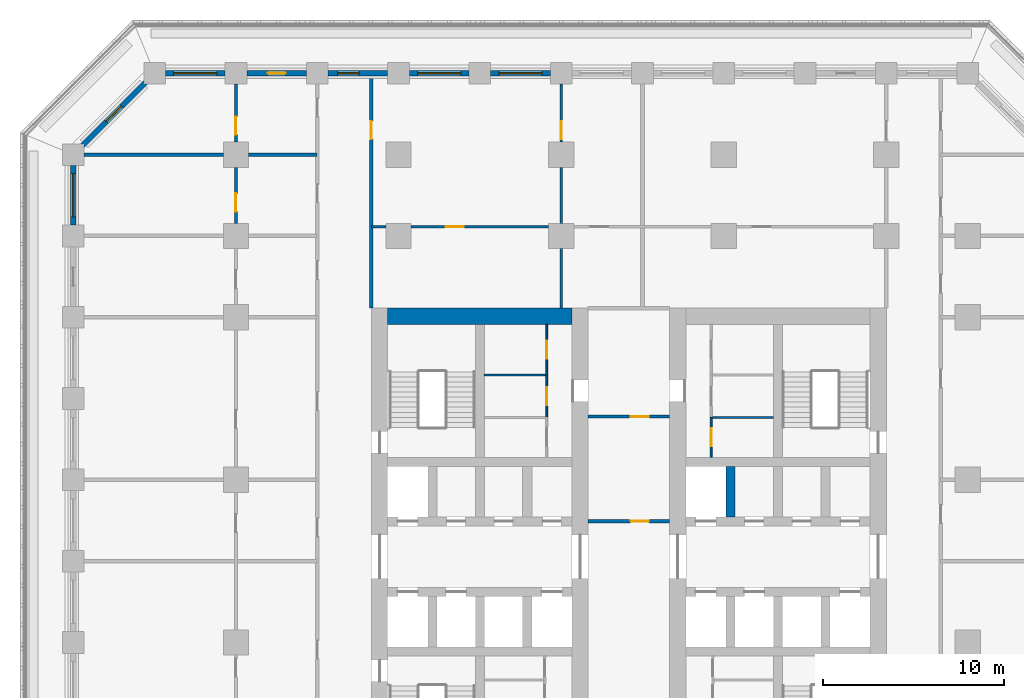
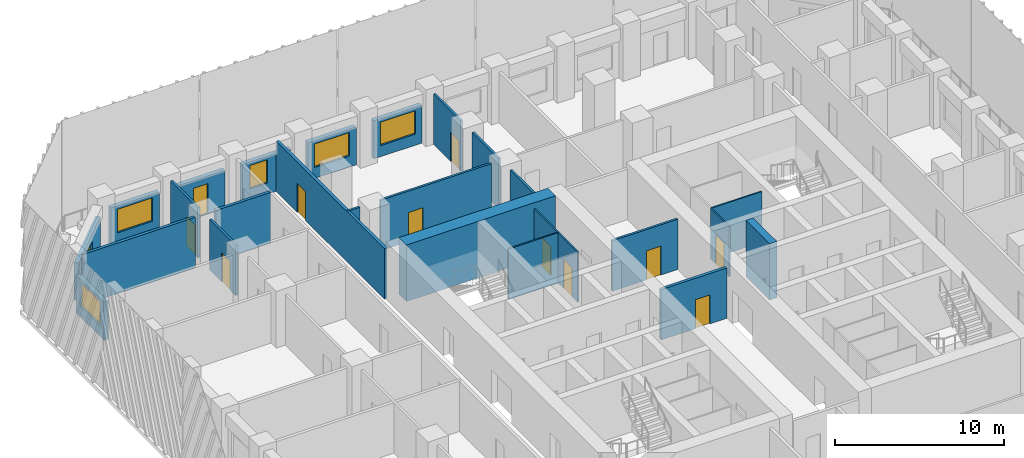
# One storey, part 7 of 19: 26 walls, 12 doors, 5 windows, 17 openings.
"""IFC4 building model written with IfcOpenShell, lengths in metres."""

from ifc_helpers import new_model, si_unit, direction, frame, frame_2d, origin, place, context, subcontext, project, spatial, rectangle, extrude, material, layer, layer_set, type_object, element, fill, save


model = new_model("IFC4")

# Units and contexts
model_context = context("Model", 3, precision=1e-05, world=origin(), true_north=direction((0.0, 1.0)))
body_context = subcontext(model_context, "Body", "Model", "MODEL_VIEW")
ifc_project = project(units=[si_unit("LENGTHUNIT", "METRE"), si_unit("AREAUNIT", "SQUARE_METRE"), si_unit("VOLUMEUNIT", "CUBIC_METRE"), si_unit("PLANEANGLEUNIT", "RADIAN"), si_unit("MASSUNIT", "GRAM", prefix="KILO")], contexts=[model_context])

# Site, building, storey
site_placement = place(None, origin())
site = spatial("IfcSite", under=ifc_project, at=site_placement, CompositionType="ELEMENT")
building_placement = place(site_placement, origin())
building = spatial("IfcBuilding", under=site, at=building_placement, Name="Corbel Stack Research Tower", CompositionType="ELEMENT")
storey_placement = place(building_placement, frame((0.0, 0.0, 133.10009765625)))
storey = spatial("IfcBuildingStorey", under=building, at=storey_placement, Name="L30", CompositionType="ELEMENT", Elevation=133.10009765625)

# Walls
ifc_material_1 = material(Name="Concrete C70/85", Category="concrete")
ifc_layer_1 = layer(ifc_material_1, 0.5)
ifc_layer_set_1 = layer_set([ifc_layer_1], Name="Concrete C70/85")
wall_type_1 = type_object("IfcWallType", Name="CW-500-70", PredefinedType="SHEAR", material=ifc_layer_set_1)
wall_1_placement = place(storey_placement, frame((9.375, 6.949951171875, 0.0), z_axis=(0.0, 0.0, 1.0), x_axis=(0.0, 1.0, 0.0)))
element("IfcWall", 1, at=wall_1_placement, inside=storey, type_object=wall_type_1, Name="East core wall, north shaft 1 L30", PredefinedType="SHEAR", context=body_context, shape_type="SweptSolid", body=[
    extrude(rectangle(XDim=2.800048828125, YDim=0.5, at=frame_2d((1.39990234375, 0.0))), origin(), (0.0, 0.0, 1.0), 4.099853515625),
])
ifc_material_2 = material(Name="Concrete C70/85", Category="concrete")
ifc_layer_2 = layer(ifc_material_2, 0.89990234375)
ifc_layer_set_2 = layer_set([ifc_layer_2], Name="Concrete C70/85")
wall_type_2 = type_object("IfcWallType", Name="CW-900-70", PredefinedType="SHEAR", material=ifc_layer_set_2)
wall_2_placement = place(storey_placement, frame((-9.60009765625, 18.050048828125, 0.0), z_axis=(0.0, 0.0, 1.0), x_axis=(1.0, 0.0, 0.0)))
element("IfcWall", 2, at=wall_2_placement, inside=storey, type_object=wall_type_2, Name="West core wall, north end L30", PredefinedType="SHEAR", context=body_context, shape_type="SweptSolid", body=[
    extrude(rectangle(XDim=10.2001953125, YDim=0.89990234375, at=frame_2d((5.10009765625, 0.0))), origin(), (0.0, 0.0, 1.0), 4.099853515625),
])

# Wall, opening, door
ifc_material_3 = material(Name="Gypsum board")
ifc_layer_3 = layer(ifc_material_3, 0.10009765625)
ifc_layer_set_3 = layer_set([ifc_layer_3], Name="Gypsum board")
wall_type_3 = type_object("IfcWallType", Name="Core partition 100", PredefinedType="PARTITIONING", material=ifc_layer_set_3)
wall_3_placement = place(storey_placement, frame((-0.800048828125, 12.455078125, 0.0), z_axis=(0.0, 0.0, 1.0), x_axis=(0.0, 1.0, 0.0)))
wall_3 = element("IfcWall", 3, at=wall_3_placement, inside=storey, type_object=wall_type_3, Name="Core partition W", PredefinedType="PARTITIONING", context=body_context, shape_type="SweptSolid", body=[
    extrude(rectangle(XDim=2.351806640625, YDim=0.10009765625, at=frame_2d((1.17578125, 0.0))), origin(), (0.0, 0.0, 1.0), 3.64990234375),
])
opening_1_placement = place(wall_3_placement, frame((0.676025390625, 0.0, 0.0)))
opening_1 = element("IfcOpeningElement", 4, at=opening_1_placement, cuts=wall_3, Name="Opening CR-W42-R3-1000", PredefinedType="OPENING", context=body_context, shape_type="SweptSolid", body=[
    extrude(rectangle(XDim=1.0, YDim=2.10009765625, at=frame_2d((0.5, 1.050048828125))), frame((0.0, 0.06005859375, 0.0), z_axis=(0.0, -1.0, 0.0), x_axis=(1.0, 0.0, 0.0)), (0.0, 0.0, 1.0), 0.1201171875),
])
ifc_material_4 = material(Name="Painted steel door", Category="steel")
door_type_1 = type_object("IfcDoorType", Name="Service door 1000 x 2100 FD30 left hand", OperationType="SINGLE_SWING_LEFT", PredefinedType="DOOR", material=ifc_material_4)
door_1_placement = place(opening_1_placement, origin())
door_1 = element("IfcDoor", 5, at=door_1_placement, inside=storey, type_object=door_type_1, Name="Pantry door W core", OperationType="SINGLE_SWING_LEFT", OverallHeight=2.10009765625, OverallWidth=1.0, PredefinedType="DOOR", context=body_context, shape_type="SweptSolid", body=[
    extrude(rectangle(XDim=1.0, YDim=2.10009765625, at=frame_2d((0.5, 1.050048828125))), frame((0.0, 0.02490234375, 0.0), z_axis=(0.0, -1.0, 0.0), x_axis=(1.0, 0.0, 0.0)), (0.0, 0.0, 1.0), 0.050048828125),
])
fill(opening_1, door_1)

wall_4_placement = place(storey_placement, frame((-0.800048828125, 14.806884765625, 0.0), z_axis=(0.0, 0.0, 1.0), x_axis=(0.0, 1.0, 0.0)))
wall_4 = element("IfcWall", 6, at=wall_4_placement, inside=storey, type_object=wall_type_3, Name="Core partition W", PredefinedType="PARTITIONING", context=body_context, shape_type="SweptSolid", body=[
    extrude(rectangle(XDim=2.793212890625, YDim=0.10009765625, at=frame_2d((1.396484375, 0.0))), origin(), (0.0, 0.0, 1.0), 3.64990234375),
])
opening_2_placement = place(wall_4_placement, frame((0.896484375, 0.0, 0.0)))
opening_2 = element("IfcOpeningElement", 7, at=opening_2_placement, cuts=wall_4, Name="Opening CR-W42-R4-1000", PredefinedType="OPENING", context=body_context, shape_type="SweptSolid", body=[
    extrude(rectangle(XDim=1.0, YDim=2.10009765625, at=frame_2d((0.5, 1.050048828125))), frame((0.0, 0.06005859375, 0.0), z_axis=(0.0, -1.0, 0.0), x_axis=(1.0, 0.0, 0.0)), (0.0, 0.0, 1.0), 0.1201171875),
])
ifc_material_5 = material(Name="Painted steel door", Category="steel")
door_type_2 = type_object("IfcDoorType", Name="Riser door 1000 x 2100 FD60 right hand", OperationType="SINGLE_SWING_RIGHT", PredefinedType="DOOR", material=ifc_material_5)
door_2_placement = place(opening_2_placement, origin())
door_2 = element("IfcDoor", 8, at=door_2_placement, inside=storey, type_object=door_type_2, Name="Electrical riser door W core", OperationType="SINGLE_SWING_RIGHT", OverallHeight=2.10009765625, OverallWidth=1.0, PredefinedType="DOOR", context=body_context, shape_type="SweptSolid", body=[
    extrude(rectangle(XDim=1.0, YDim=2.10009765625, at=frame_2d((0.5, 1.050048828125))), frame((0.0, 0.02490234375, 0.0), z_axis=(0.0, -1.0, 0.0), x_axis=(1.0, 0.0, 0.0)), (0.0, 0.0, 1.0), 0.050048828125),
])
fill(opening_2, door_2)

# Wall
wall_5_placement = place(storey_placement, frame((-4.25, 14.806884765625, 0.0), z_axis=(0.0, 0.0, 1.0), x_axis=(1.0, 0.0, 0.0)))
element("IfcWall", 9, at=wall_5_placement, inside=storey, type_object=wall_type_3, Name="Core partition W", PredefinedType="PARTITIONING", context=body_context, shape_type="SweptSolid", body=[
    extrude(rectangle(XDim=3.449951171875, YDim=0.10009765625, at=frame_2d((1.72509765625, 0.0))), origin(), (0.0, 0.0, 1.0), 3.64990234375),
])

# Wall, opening, door
wall_6_placement = place(storey_placement, frame((8.300048828125, 10.25, 0.0), z_axis=(0.0, 0.0, 1.0), x_axis=(0.0, 1.0, 0.0)))
wall_6 = element("IfcWall", 10, at=wall_6_placement, inside=storey, type_object=wall_type_3, Name="Core partition E", PredefinedType="PARTITIONING", context=body_context, shape_type="SweptSolid", body=[
    extrude(rectangle(XDim=2.205078125, YDim=0.10009765625, at=frame_2d((1.1025390625, 0.0))), origin(), (0.0, 0.0, 1.0), 3.64990234375),
])
opening_3_placement = place(wall_6_placement, frame((0.6025390625, 0.0, 0.0)))
opening_3 = element("IfcOpeningElement", 11, at=opening_3_placement, cuts=wall_6, Name="Opening CR-E42-R2-1000", PredefinedType="OPENING", context=body_context, shape_type="SweptSolid", body=[
    extrude(rectangle(XDim=1.0, YDim=2.10009765625, at=frame_2d((0.5, 1.050048828125))), frame((0.0, 0.06005859375, 0.0), z_axis=(0.0, -1.0, 0.0), x_axis=(1.0, 0.0, 0.0)), (0.0, 0.0, 1.0), 0.1201171875),
])
ifc_material_6 = material(Name="Painted steel door", Category="steel")
door_type_3 = type_object("IfcDoorType", Name="Riser door 1000 x 2100 FD60 left hand", OperationType="SINGLE_SWING_LEFT", PredefinedType="DOOR", material=ifc_material_6)
door_3_placement = place(opening_3_placement, origin())
door_3 = element("IfcDoor", 12, at=door_3_placement, inside=storey, type_object=door_type_3, Name="Mechanical riser door E core", OperationType="SINGLE_SWING_LEFT", OverallHeight=2.10009765625, OverallWidth=1.0, PredefinedType="DOOR", context=body_context, shape_type="SweptSolid", body=[
    extrude(rectangle(XDim=1.0, YDim=2.10009765625, at=frame_2d((0.5, 1.050048828125))), frame((0.0, 0.02490234375, 0.0), z_axis=(0.0, -1.0, 0.0), x_axis=(1.0, 0.0, 0.0)), (0.0, 0.0, 1.0), 0.050048828125),
])
fill(opening_3, door_3)

# Wall
wall_7_placement = place(storey_placement, frame((8.300048828125, 12.455078125, 0.0), z_axis=(0.0, 0.0, 1.0), x_axis=(1.0, 0.0, 0.0)))
element("IfcWall", 13, at=wall_7_placement, inside=storey, type_object=wall_type_3, Name="Core partition E", PredefinedType="PARTITIONING", context=body_context, shape_type="SweptSolid", body=[
    extrude(rectangle(XDim=3.449951171875, YDim=0.10009765625, at=frame_2d((1.72509765625, 0.0))), origin(), (0.0, 0.0, 1.0), 3.64990234375),
])

# Wall, opening, door
ifc_material_7 = material(Name="Fire-rated gypsum board partition on steel studs", Category="steel")
ifc_layer_4 = layer(ifc_material_7, 0.14990234375)
ifc_layer_set_4 = layer_set([ifc_layer_4], Name="Fire-rated gypsum board partition on steel studs")
wall_type_4 = type_object("IfcWallType", Name="Fire-rated partition 150 EI 60", PredefinedType="PARTITIONING", material=ifc_layer_set_4)
wall_8_placement = place(storey_placement, frame((0.0, 30.89990234375, 0.0), z_axis=(0.0, 0.0, 1.0), x_axis=(0.0, -1.0, 0.0)))
wall_8 = element("IfcWall", 14, at=wall_8_placement, inside=storey, type_object=wall_type_4, Name="Partition L30-014", PredefinedType="PARTITIONING", context=body_context, shape_type="SweptSolid", body=[
    extrude(rectangle(XDim=3.199951171875, YDim=0.14990234375, at=frame_2d((1.60009765625, 0.0))), origin(), (0.0, 0.0, 1.0), 3.64990234375),
])
opening_4_placement = place(wall_8_placement, frame((2.050048828125, 0.0, 0.0)))
opening_4 = element("IfcOpeningElement", 15, at=opening_4_placement, cuts=wall_8, Name="Opening B4V1-023", PredefinedType="OPENING", context=body_context, shape_type="SweptSolid", body=[
    extrude(rectangle(XDim=1.0, YDim=2.10009765625, at=frame_2d((0.5, 1.050048828125))), frame((0.0, 0.0849609375, 0.0), z_axis=(0.0, -1.0, 0.0), x_axis=(1.0, 0.0, 0.0)), (0.0, 0.0, 1.0), 0.169921875),
])
ifc_material_8 = material(Name="Painted steel fire door", Category="steel")
door_type_4 = type_object("IfcDoorType", Name="Fire door FD30S 1000 x 2100", OperationType="NOTDEFINED", PredefinedType="DOOR", material=ifc_material_8)
door_4_placement = place(opening_4_placement, origin())
door_4 = element("IfcDoor", 16, at=door_4_placement, inside=storey, type_object=door_type_4, Name="Door B4V1-023", OperationType="SINGLE_SWING_RIGHT", OverallHeight=2.10009765625, OverallWidth=1.0, PredefinedType="DOOR", context=body_context, shape_type="SweptSolid", body=[
    extrude(rectangle(XDim=1.0, YDim=2.10009765625, at=frame_2d((0.5, 1.050048828125))), frame((0.0, 0.02490234375, 0.0), z_axis=(0.0, -1.0, 0.0), x_axis=(1.0, 0.0, 0.0)), (0.0, 0.0, 1.0), 0.050048828125),
])
fill(opening_4, door_4)

ifc_material_9 = material(Name="Fire-rated gypsum board partition on steel studs", Category="steel")
ifc_layer_5 = layer(ifc_material_9, 0.199951171875)
ifc_layer_set_5 = layer_set([ifc_layer_5], Name="Fire-rated gypsum board partition on steel studs")
wall_type_5 = type_object("IfcWallType", Name="Fire-rated partition 200 EI 60", PredefinedType="PARTITIONING", material=ifc_layer_set_5)
wall_9_placement = place(storey_placement, frame((-10.5, 31.35009765625, 0.0), z_axis=(0.0, 0.0, 1.0), x_axis=(0.0, -1.0, 0.0)))
wall_9 = element("IfcWall", 17, at=wall_9_placement, inside=storey, type_object=wall_type_5, Name="Partition L30-011", PredefinedType="PARTITIONING", context=body_context, shape_type="SweptSolid", body=[
    extrude(rectangle(XDim=12.85009765625, YDim=0.199951171875, at=frame_2d((6.425048828125, 0.0))), origin(), (0.0, 0.0, 1.0), 3.64990234375),
])
opening_5_placement = place(wall_9_placement, frame((2.5, 0.0, 0.0)))
opening_5 = element("IfcOpeningElement", 18, at=opening_5_placement, cuts=wall_9, Name="Opening B4V1-021", PredefinedType="OPENING", context=body_context, shape_type="SweptSolid", body=[
    extrude(rectangle(XDim=1.0, YDim=2.10009765625, at=frame_2d((0.5, 1.050048828125))), frame((0.0, 0.10986328125, 0.0), z_axis=(0.0, -1.0, 0.0), x_axis=(1.0, 0.0, 0.0)), (0.0, 0.0, 1.0), 0.219970703125),
])
door_5_placement = place(opening_5_placement, origin())
door_5 = element("IfcDoor", 19, at=door_5_placement, inside=storey, type_object=door_type_4, Name="Door B4V1-021", OperationType="SINGLE_SWING_LEFT", OverallHeight=2.10009765625, OverallWidth=1.0, PredefinedType="DOOR", context=body_context, shape_type="SweptSolid", body=[
    extrude(rectangle(XDim=1.0, YDim=2.10009765625, at=frame_2d((0.5, 1.050048828125))), frame((0.0, 0.02490234375, 0.0), z_axis=(0.0, -1.0, 0.0), x_axis=(1.0, 0.0, 0.0)), (0.0, 0.0, 1.0), 0.050048828125),
])
fill(opening_5, door_5)

wall_10_placement = place(storey_placement, frame((1.5, 6.699951171875, 0.0), z_axis=(0.0, 0.0, 1.0), x_axis=(1.0, 0.0, 0.0)))
wall_10 = element("IfcWall", 20, at=wall_10_placement, inside=storey, type_object=wall_type_5, Name="Partition L30-035", PredefinedType="PARTITIONING", context=body_context, shape_type="SweptSolid", body=[
    extrude(rectangle(XDim=4.5, YDim=0.199951171875, at=frame_2d((2.25, 0.0))), origin(), (0.0, 0.0, 1.0), 3.64990234375),
])
opening_6_placement = place(wall_10_placement, frame((2.35009765625, 0.0, 0.0)))
opening_6 = element("IfcOpeningElement", 21, at=opening_6_placement, cuts=wall_10, Name="Opening B4V1-024", PredefinedType="OPENING", context=body_context, shape_type="SweptSolid", body=[
    extrude(rectangle(XDim=1.0, YDim=2.10009765625, at=frame_2d((0.5, 1.050048828125))), frame((0.0, 0.10986328125, 0.0), z_axis=(0.0, -1.0, 0.0), x_axis=(1.0, 0.0, 0.0)), (0.0, 0.0, 1.0), 0.219970703125),
])
door_6_placement = place(opening_6_placement, origin())
door_6 = element("IfcDoor", 22, at=door_6_placement, inside=storey, type_object=door_type_4, Name="Door B4V1-024", OperationType="SINGLE_SWING_RIGHT", OverallHeight=2.10009765625, OverallWidth=1.0, PredefinedType="DOOR", context=body_context, shape_type="SweptSolid", body=[
    extrude(rectangle(XDim=1.0, YDim=2.10009765625, at=frame_2d((0.5, 1.050048828125))), frame((0.0, 0.02490234375, 0.0), z_axis=(0.0, -1.0, 0.0), x_axis=(1.0, 0.0, 0.0)), (0.0, 0.0, 1.0), 0.050048828125),
])
fill(opening_6, door_6)

# Walls
wall_11_placement = place(storey_placement, frame((-26.39990234375, 27.0, 0.0), z_axis=(0.0, 0.0, 1.0), x_axis=(1.0, 0.0, 0.0)))
element("IfcWall", 23, at=wall_11_placement, inside=storey, type_object=wall_type_5, Name="Partition L30-054", PredefinedType="PARTITIONING", context=body_context, shape_type="SweptSolid", body=[
    extrude(rectangle(XDim=7.699951171875, YDim=0.199951171875, at=frame_2d((3.85009765625, 0.0))), origin(), (0.0, 0.0, 1.0), 3.64990234375),
])
wall_12_placement = place(storey_placement, frame((-17.300048828125, 27.0, 0.0), z_axis=(0.0, 0.0, 1.0), x_axis=(1.0, 0.0, 0.0)))
element("IfcWall", 24, at=wall_12_placement, inside=storey, type_object=wall_type_5, Name="Partition L30-055", PredefinedType="PARTITIONING", context=body_context, shape_type="SweptSolid", body=[
    extrude(rectangle(XDim=3.800048828125, YDim=0.199951171875, at=frame_2d((1.89990234375, 0.0))), origin(), (0.0, 0.0, 1.0), 3.64990234375),
])

# Wall, opening, door
ifc_material_10 = material(Name="Gypsum board partition on steel studs", Category="steel")
ifc_layer_6 = layer(ifc_material_10, 0.14990234375)
ifc_layer_set_6 = layer_set([ifc_layer_6], Name="Gypsum board partition on steel studs")
wall_type_6 = type_object("IfcWallType", Name="Partition 150", PredefinedType="PARTITIONING", material=ifc_layer_set_6)
wall_13_placement = place(storey_placement, frame((-18.0, 23.199951171875, 0.0), z_axis=(0.0, 0.0, 1.0), x_axis=(0.0, 1.0, 0.0)))
wall_13 = element("IfcWall", 25, at=wall_13_placement, inside=storey, type_object=wall_type_6, Name="Partition L30-007", PredefinedType="PARTITIONING", context=body_context, shape_type="SweptSolid", body=[
    extrude(rectangle(XDim=3.10009765625, YDim=0.14990234375, at=frame_2d((1.550048828125, 0.0))), origin(), (0.0, 0.0, 1.0), 3.64990234375),
])
opening_7_placement = place(wall_13_placement, frame((0.64990234375, 0.0, 0.0)))
opening_7 = element("IfcOpeningElement", 26, at=opening_7_placement, cuts=wall_13, Name="Opening B4V1-007", PredefinedType="OPENING", context=body_context, shape_type="SweptSolid", body=[
    extrude(rectangle(XDim=1.0, YDim=2.10009765625, at=frame_2d((0.5, 1.050048828125))), frame((0.0, 0.0849609375, 0.0), z_axis=(0.0, -1.0, 0.0), x_axis=(1.0, 0.0, 0.0)), (0.0, 0.0, 1.0), 0.169921875),
])
ifc_material_11 = material(Name="Painted timber door", Category="wood")
door_type_5 = type_object("IfcDoorType", Name="Single door 1000 x 2100", OperationType="NOTDEFINED", PredefinedType="DOOR", material=ifc_material_11)
door_7_placement = place(opening_7_placement, origin())
door_7 = element("IfcDoor", 27, at=door_7_placement, inside=storey, type_object=door_type_5, Name="Door B4V1-007", OperationType="SINGLE_SWING_LEFT", OverallHeight=2.10009765625, OverallWidth=1.0, PredefinedType="DOOR", context=body_context, shape_type="SweptSolid", body=[
    extrude(rectangle(XDim=1.0, YDim=2.10009765625, at=frame_2d((0.5, 1.050048828125))), frame((0.0, 0.02490234375, 0.0), z_axis=(0.0, -1.0, 0.0), x_axis=(1.0, 0.0, 0.0)), (0.0, 0.0, 1.0), 0.050048828125),
])
fill(opening_7, door_7)

wall_14_placement = place(storey_placement, frame((-18.0, 27.699951171875, 0.0), z_axis=(0.0, 0.0, 1.0), x_axis=(0.0, 1.0, 0.0)))
wall_14 = element("IfcWall", 28, at=wall_14_placement, inside=storey, type_object=wall_type_6, Name="Partition L30-008", PredefinedType="PARTITIONING", context=body_context, shape_type="SweptSolid", body=[
    extrude(rectangle(XDim=3.199951171875, YDim=0.14990234375, at=frame_2d((1.60009765625, 0.0))), origin(), (0.0, 0.0, 1.0), 3.64990234375),
])
opening_8_placement = place(wall_14_placement, frame((0.39990234375, 0.0, 0.0)))
opening_8 = element("IfcOpeningElement", 29, at=opening_8_placement, cuts=wall_14, Name="Opening B4V1-008", PredefinedType="OPENING", context=body_context, shape_type="SweptSolid", body=[
    extrude(rectangle(XDim=1.0, YDim=2.10009765625, at=frame_2d((0.5, 1.050048828125))), frame((0.0, 0.0849609375, 0.0), z_axis=(0.0, -1.0, 0.0), x_axis=(1.0, 0.0, 0.0)), (0.0, 0.0, 1.0), 0.169921875),
])
door_8_placement = place(opening_8_placement, origin())
door_8 = element("IfcDoor", 30, at=door_8_placement, inside=storey, type_object=door_type_5, Name="Door B4V1-008", OperationType="SINGLE_SWING_LEFT", OverallHeight=2.10009765625, OverallWidth=1.0, PredefinedType="DOOR", context=body_context, shape_type="SweptSolid", body=[
    extrude(rectangle(XDim=1.0, YDim=2.10009765625, at=frame_2d((0.5, 1.050048828125))), frame((0.0, 0.02490234375, 0.0), z_axis=(0.0, -1.0, 0.0), x_axis=(1.0, 0.0, 0.0)), (0.0, 0.0, 1.0), 0.050048828125),
])
fill(opening_8, door_8)

# Walls
wall_15_placement = place(storey_placement, frame((0.0, 18.5, 0.0), z_axis=(0.0, 0.0, 1.0), x_axis=(0.0, 1.0, 0.0)))
element("IfcWall", 31, at=wall_15_placement, inside=storey, type_object=wall_type_6, Name="Partition L30-012", PredefinedType="PARTITIONING", context=body_context, shape_type="SweptSolid", body=[
    extrude(rectangle(XDim=3.300048828125, YDim=0.14990234375, at=frame_2d((1.64990234375, 0.0))), origin(), (0.0, 0.0, 1.0), 3.64990234375),
])
wall_16_placement = place(storey_placement, frame((0.0, 23.199951171875, 0.0), z_axis=(0.0, 0.0, 1.0), x_axis=(0.0, 1.0, 0.0)))
element("IfcWall", 32, at=wall_16_placement, inside=storey, type_object=wall_type_6, Name="Partition L30-013", PredefinedType="PARTITIONING", context=body_context, shape_type="SweptSolid", body=[
    extrude(rectangle(XDim=3.10009765625, YDim=0.14990234375, at=frame_2d((1.550048828125, 0.0))), origin(), (0.0, 0.0, 1.0), 3.64990234375),
])

# Wall, opening, door
wall_17_placement = place(storey_placement, frame((1.5, 12.5, 0.0), z_axis=(0.0, 0.0, 1.0), x_axis=(1.0, 0.0, 0.0)))
wall_17 = element("IfcWall", 33, at=wall_17_placement, inside=storey, type_object=wall_type_6, Name="Partition L30-040", PredefinedType="PARTITIONING", context=body_context, shape_type="SweptSolid", body=[
    extrude(rectangle(XDim=4.5, YDim=0.14990234375, at=frame_2d((2.25, 0.0))), origin(), (0.0, 0.0, 1.0), 3.64990234375),
])
opening_9_placement = place(wall_17_placement, frame((2.35009765625, 0.0, 0.0)))
opening_9 = element("IfcOpeningElement", 34, at=opening_9_placement, cuts=wall_17, Name="Opening B4V1-025", PredefinedType="OPENING", context=body_context, shape_type="SweptSolid", body=[
    extrude(rectangle(XDim=1.0, YDim=2.10009765625, at=frame_2d((0.5, 1.050048828125))), frame((0.0, 0.0849609375, 0.0), z_axis=(0.0, -1.0, 0.0), x_axis=(1.0, 0.0, 0.0)), (0.0, 0.0, 1.0), 0.169921875),
])
door_9_placement = place(opening_9_placement, origin())
door_9 = element("IfcDoor", 35, at=door_9_placement, inside=storey, type_object=door_type_5, Name="Door B4V1-025", OperationType="SINGLE_SWING_RIGHT", OverallHeight=2.10009765625, OverallWidth=1.0, PredefinedType="DOOR", context=body_context, shape_type="SweptSolid", body=[
    extrude(rectangle(XDim=1.0, YDim=2.10009765625, at=frame_2d((0.5, 1.050048828125))), frame((0.0, 0.02490234375, 0.0), z_axis=(0.0, -1.0, 0.0), x_axis=(1.0, 0.0, 0.0)), (0.0, 0.0, 1.0), 0.050048828125),
])
fill(opening_9, door_9)

# Wall
wall_18_placement = place(storey_placement, frame((-10.5, 23.0, 0.0), z_axis=(0.0, 0.0, 1.0), x_axis=(1.0, 0.0, 0.0)))
element("IfcWall", 36, at=wall_18_placement, inside=storey, type_object=wall_type_6, Name="Partition L30-050", PredefinedType="PARTITIONING", context=body_context, shape_type="SweptSolid", body=[
    extrude(rectangle(XDim=0.800048828125, YDim=0.14990234375, at=frame_2d((0.39990234375, 0.0))), origin(), (0.0, 0.0, 1.0), 3.64990234375),
])

# Wall, opening, door
wall_19_placement = place(storey_placement, frame((-0.699951171875, 23.0, 0.0), z_axis=(0.0, 0.0, 1.0), x_axis=(-1.0, 0.0, 0.0)))
wall_19 = element("IfcWall", 37, at=wall_19_placement, inside=storey, type_object=wall_type_6, Name="Partition L30-051", PredefinedType="PARTITIONING", context=body_context, shape_type="SweptSolid", body=[
    extrude(rectangle(XDim=7.60009765625, YDim=0.14990234375, at=frame_2d((3.800048828125, 0.0))), origin(), (0.0, 0.0, 1.0), 3.64990234375),
])
opening_10_placement = place(wall_19_placement, frame((4.699951171875, 0.0, 0.0)))
opening_10 = element("IfcOpeningElement", 38, at=opening_10_placement, cuts=wall_19, Name="Opening B4V1-036", PredefinedType="OPENING", context=body_context, shape_type="SweptSolid", body=[
    extrude(rectangle(XDim=1.0, YDim=2.10009765625, at=frame_2d((0.5, 1.050048828125))), frame((0.0, 0.0849609375, 0.0), z_axis=(0.0, -1.0, 0.0), x_axis=(1.0, 0.0, 0.0)), (0.0, 0.0, 1.0), 0.169921875),
])
door_10_placement = place(opening_10_placement, origin())
door_10 = element("IfcDoor", 39, at=door_10_placement, inside=storey, type_object=door_type_5, Name="Door B4V1-036", OperationType="SINGLE_SWING_RIGHT", OverallHeight=2.10009765625, OverallWidth=1.0, PredefinedType="DOOR", context=body_context, shape_type="SweptSolid", body=[
    extrude(rectangle(XDim=1.0, YDim=2.10009765625, at=frame_2d((0.5, 1.050048828125))), frame((0.0, 0.02490234375, 0.0), z_axis=(0.0, -1.0, 0.0), x_axis=(1.0, 0.0, 0.0)), (0.0, 0.0, 1.0), 0.050048828125),
])
fill(opening_10, door_10)

# Wall, opening, window
ifc_material_12 = material(Name="Concrete C45/55", Category="concrete")
ifc_layer_7 = layer(ifc_material_12, 0.300048828125)
ifc_layer_set_7 = layer_set([ifc_layer_7], Name="Concrete C45/55")
wall_type_7 = type_object("IfcWallType", Name="Terracotta-faced concrete wall 300", PredefinedType="SOLIDWALL", material=ifc_layer_set_7)
wall_20_placement = place(storey_placement, frame((-3.89990234375, 31.5, 0.0), z_axis=(0.0, 0.0, 1.0), x_axis=(1.0, 0.0, 0.0)))
wall_20 = element("IfcWall", 40, at=wall_20_placement, inside=storey, type_object=wall_type_7, Name="Facade wall L30 N06", PredefinedType="SOLIDWALL", context=body_context, shape_type="SweptSolid", body=[
    extrude(rectangle(XDim=3.2998046875, YDim=0.300048828125, at=frame_2d((1.64990234375, 0.0))), origin(), (0.0, 0.0, 1.0), 2.75),
])
opening_11_placement = place(wall_20_placement, frame((0.449951171875, 0.0, 0.800048828125)))
opening_11 = element("IfcOpeningElement", 41, at=opening_11_placement, cuts=wall_20, Name="Opening W1", PredefinedType="OPENING", context=body_context, shape_type="SweptSolid", body=[
    extrude(rectangle(XDim=2.39990234375, YDim=1.699951171875, at=frame_2d((1.199951171875, 0.85009765625))), frame((0.0, 0.159912109375, 0.0), z_axis=(0.0, -1.0, 0.0), x_axis=(1.0, 0.0, 0.0)), (0.0, 0.0, 1.0), 0.320068359375),
])
ifc_material_13 = material(Name="Aluminium frame, clear double glazing", Category="aluminium")
window_type_1 = type_object("IfcWindowType", Name="Window W1 2400 x 1700", PartitioningType="SINGLE_PANEL", PredefinedType="WINDOW", material=ifc_material_13)
window_1_placement = place(opening_11_placement, origin())
window_1 = element("IfcWindow", 42, at=window_1_placement, inside=storey, type_object=window_type_1, Name="Window W1 L30 N06", OverallHeight=1.699951171875, OverallWidth=2.39990234375, PartitioningType="SINGLE_PANEL", PredefinedType="WINDOW", context=body_context, shape_type="SweptSolid", body=[
    extrude(rectangle(XDim=2.39990234375, YDim=1.699951171875, at=frame_2d((1.199951171875, 0.85009765625))), frame((0.0, 0.030029296875, 0.0), z_axis=(0.0, -1.0, 0.0), x_axis=(1.0, 0.0, 0.0)), (0.0, 0.0, 1.0), 0.06005859375),
])
fill(opening_11, window_1)

wall_21_placement = place(storey_placement, frame((-8.39990234375, 31.5, 0.0), z_axis=(0.0, 0.0, 1.0), x_axis=(1.0, 0.0, 0.0)))
wall_21 = element("IfcWall", 43, at=wall_21_placement, inside=storey, type_object=wall_type_7, Name="Facade wall L30 N07", PredefinedType="SOLIDWALL", context=body_context, shape_type="SweptSolid", body=[
    extrude(rectangle(XDim=3.2998046875, YDim=0.300048828125, at=frame_2d((1.64990234375, 0.0))), origin(), (0.0, 0.0, 1.0), 2.75),
])
opening_12_placement = place(wall_21_placement, frame((0.449951171875, 0.0, 0.800048828125)))
opening_12 = element("IfcOpeningElement", 44, at=opening_12_placement, cuts=wall_21, Name="Opening W1", PredefinedType="OPENING", context=body_context, shape_type="SweptSolid", body=[
    extrude(rectangle(XDim=2.39990234375, YDim=1.699951171875, at=frame_2d((1.199951171875, 0.85009765625))), frame((0.0, 0.159912109375, 0.0), z_axis=(0.0, -1.0, 0.0), x_axis=(1.0, 0.0, 0.0)), (0.0, 0.0, 1.0), 0.320068359375),
])
window_2_placement = place(opening_12_placement, origin())
window_2 = element("IfcWindow", 45, at=window_2_placement, inside=storey, type_object=window_type_1, Name="Window W1 L30 N07", OverallHeight=1.699951171875, OverallWidth=2.39990234375, PartitioningType="SINGLE_PANEL", PredefinedType="WINDOW", context=body_context, shape_type="SweptSolid", body=[
    extrude(rectangle(XDim=2.39990234375, YDim=1.699951171875, at=frame_2d((1.199951171875, 0.85009765625))), frame((0.0, 0.030029296875, 0.0), z_axis=(0.0, -1.0, 0.0), x_axis=(1.0, 0.0, 0.0)), (0.0, 0.0, 1.0), 0.06005859375),
])
fill(opening_12, window_2)

wall_22_placement = place(storey_placement, frame((-12.89990234375, 31.5, 0.0), z_axis=(0.0, 0.0, 1.0), x_axis=(1.0, 0.0, 0.0)))
wall_22 = element("IfcWall", 46, at=wall_22_placement, inside=storey, type_object=wall_type_7, Name="Facade wall L30 N08", PredefinedType="SOLIDWALL", context=body_context, shape_type="SweptSolid", body=[
    extrude(rectangle(XDim=3.2998046875, YDim=0.300048828125, at=frame_2d((1.64990234375, 0.0))), origin(), (0.0, 0.0, 1.0), 2.75),
])
opening_13_placement = place(wall_22_placement, frame((0.52490234375, 0.0, 0.800048828125)))
opening_13 = element("IfcOpeningElement", 47, at=opening_13_placement, cuts=wall_22, Name="Opening W2", PredefinedType="OPENING", context=body_context, shape_type="SweptSolid", body=[
    extrude(rectangle(XDim=1.199951171875, YDim=1.699951171875, at=frame_2d((0.60009765625, 0.85009765625))), frame((0.0, 0.159912109375, 0.0), z_axis=(0.0, -1.0, 0.0), x_axis=(1.0, 0.0, 0.0)), (0.0, 0.0, 1.0), 0.320068359375),
])
ifc_material_14 = material(Name="Aluminium frame, clear double glazing", Category="aluminium")
window_type_2 = type_object("IfcWindowType", Name="Window W2 1200 x 1700", PartitioningType="SINGLE_PANEL", PredefinedType="WINDOW", material=ifc_material_14)
window_3_placement = place(opening_13_placement, origin())
window_3 = element("IfcWindow", 48, at=window_3_placement, inside=storey, type_object=window_type_2, Name="Window W2 L30 N08", OverallHeight=1.699951171875, OverallWidth=1.199951171875, PartitioningType="SINGLE_PANEL", PredefinedType="WINDOW", context=body_context, shape_type="SweptSolid", body=[
    extrude(rectangle(XDim=1.199951171875, YDim=1.699951171875, at=frame_2d((0.60009765625, 0.85009765625))), frame((0.0, 0.030029296875, 0.0), z_axis=(0.0, -1.0, 0.0), x_axis=(1.0, 0.0, 0.0)), (0.0, 0.0, 1.0), 0.06005859375),
])
fill(opening_13, window_3)

# Wall, opening, door
wall_23_placement = place(storey_placement, frame((-17.39990234375, 31.5, 0.0), z_axis=(0.0, 0.0, 1.0), x_axis=(1.0, 0.0, 0.0)))
wall_23 = element("IfcWall", 49, at=wall_23_placement, inside=storey, type_object=wall_type_7, Name="Facade wall L30 N09", PredefinedType="SOLIDWALL", context=body_context, shape_type="SweptSolid", body=[
    extrude(rectangle(XDim=3.2998046875, YDim=0.300048828125, at=frame_2d((1.64990234375, 0.0))), origin(), (0.0, 0.0, 1.0), 2.75),
])
opening_14_placement = place(wall_23_placement, frame((1.14990234375, 0.0, 0.0)))
opening_14 = element("IfcOpeningElement", 50, at=opening_14_placement, cuts=wall_23, Name="Opening L30-B08", PredefinedType="OPENING", context=body_context, shape_type="SweptSolid", body=[
    extrude(rectangle(XDim=1.0, YDim=2.199951171875, at=frame_2d((0.5, 1.10009765625))), frame((0.0, 0.159912109375, 0.0), z_axis=(0.0, -1.0, 0.0), x_axis=(1.0, 0.0, 0.0)), (0.0, 0.0, 1.0), 0.320068359375),
])
ifc_material_15 = material(Name="Aluminium frame, clear double glazing", Category="aluminium")
door_type_6 = type_object("IfcDoorType", Name="Balcony door BD1 1000 x 2200", OperationType="NOTDEFINED", PredefinedType="DOOR", material=ifc_material_15)
door_11_placement = place(opening_14_placement, origin())
door_11 = element("IfcDoor", 51, at=door_11_placement, inside=storey, type_object=door_type_6, Name="Balcony door L30-B08", OperationType="SINGLE_SWING_LEFT", OverallHeight=2.199951171875, OverallWidth=1.0, PredefinedType="DOOR", context=body_context, shape_type="SweptSolid", body=[
    extrude(rectangle(XDim=1.0, YDim=2.199951171875, at=frame_2d((0.5, 1.10009765625))), frame((0.0, 0.02490234375, 0.0), z_axis=(0.0, -1.0, 0.0), x_axis=(1.0, 0.0, 0.0)), (0.0, 0.0, 1.0), 0.050048828125),
])
fill(opening_14, door_11)

# Wall, opening, window
wall_24_placement = place(storey_placement, frame((-21.89990234375, 31.5, 0.0), z_axis=(0.0, 0.0, 1.0), x_axis=(1.0, 0.0, 0.0)))
wall_24 = element("IfcWall", 52, at=wall_24_placement, inside=storey, type_object=wall_type_7, Name="Facade wall L30 N10", PredefinedType="SOLIDWALL", context=body_context, shape_type="SweptSolid", body=[
    extrude(rectangle(XDim=3.2998046875, YDim=0.300048828125, at=frame_2d((1.64990234375, 0.0))), origin(), (0.0, 0.0, 1.0), 2.75),
])
opening_15_placement = place(wall_24_placement, frame((0.449951171875, 0.0, 0.800048828125)))
opening_15 = element("IfcOpeningElement", 53, at=opening_15_placement, cuts=wall_24, Name="Opening W1", PredefinedType="OPENING", context=body_context, shape_type="SweptSolid", body=[
    extrude(rectangle(XDim=2.39990234375, YDim=1.699951171875, at=frame_2d((1.199951171875, 0.85009765625))), frame((0.0, 0.159912109375, 0.0), z_axis=(0.0, -1.0, 0.0), x_axis=(1.0, 0.0, 0.0)), (0.0, 0.0, 1.0), 0.320068359375),
])
window_4_placement = place(opening_15_placement, origin())
window_4 = element("IfcWindow", 54, at=window_4_placement, inside=storey, type_object=window_type_1, Name="Window W1 L30 N10", OverallHeight=1.699951171875, OverallWidth=2.39990234375, PartitioningType="SINGLE_PANEL", PredefinedType="WINDOW", context=body_context, shape_type="SweptSolid", body=[
    extrude(rectangle(XDim=2.39990234375, YDim=1.699951171875, at=frame_2d((1.199951171875, 0.85009765625))), frame((0.0, 0.030029296875, 0.0), z_axis=(0.0, -1.0, 0.0), x_axis=(1.0, 0.0, 0.0)), (0.0, 0.0, 1.0), 0.06005859375),
])
fill(opening_15, window_4)

# Wall, opening, door
wall_25_placement = place(storey_placement, frame((-26.506103515625, 27.493896484375, 0.0), z_axis=(0.0, 0.0, 1.0), x_axis=(0.707106781187, 0.707106781187, 0.0)))
wall_25 = element("IfcWall", 55, at=wall_25_placement, inside=storey, type_object=wall_type_7, Name="Facade wall L30 NW01", PredefinedType="SOLIDWALL", context=body_context, shape_type="SweptSolid", body=[
    extrude(rectangle(XDim=4.967041015625, YDim=0.300048828125, at=frame_2d((2.4833984375, 0.0))), origin(), (0.0, 0.0, 1.0), 2.75),
])
opening_16_placement = place(wall_25_placement, frame((1.883544921875, 0.0, 0.0)))
opening_16 = element("IfcOpeningElement", 56, at=opening_16_placement, cuts=wall_25, Name="Opening L30-B09", PredefinedType="OPENING", context=body_context, shape_type="SweptSolid", body=[
    extrude(rectangle(XDim=1.199951171875, YDim=2.199951171875, at=frame_2d((0.60009765625, 1.10009765625))), frame((0.0, 0.159912109375, 0.0), z_axis=(0.0, -1.0, 0.0), x_axis=(1.0, 0.0, 0.0)), (0.0, 0.0, 1.0), 0.320068359375),
])
ifc_material_16 = material(Name="Aluminium frame, clear double glazing", Category="aluminium")
door_type_7 = type_object("IfcDoorType", Name="Balcony door BD2 1200 x 2200", OperationType="NOTDEFINED", PredefinedType="DOOR", material=ifc_material_16)
door_12_placement = place(opening_16_placement, origin())
door_12 = element("IfcDoor", 57, at=door_12_placement, inside=storey, type_object=door_type_7, Name="Balcony door L30-B09", OperationType="SINGLE_SWING_LEFT", OverallHeight=2.199951171875, OverallWidth=1.199951171875, PredefinedType="DOOR", context=body_context, shape_type="SweptSolid", body=[
    extrude(rectangle(XDim=1.199951171875, YDim=2.199951171875, at=frame_2d((0.60009765625, 1.10009765625))), frame((0.0, 0.02490234375, 0.0), z_axis=(0.0, -1.0, 0.0), x_axis=(1.0, 0.0, 0.0)), (0.0, 0.0, 1.0), 0.050048828125),
])
fill(opening_16, door_12)

# Wall, opening, window
wall_26_placement = place(storey_placement, frame((-27.0, 23.10009765625, 0.0), z_axis=(0.0, 0.0, 1.0), x_axis=(0.0, 1.0, 0.0)))
wall_26 = element("IfcWall", 58, at=wall_26_placement, inside=storey, type_object=wall_type_7, Name="Facade wall L30 W01", PredefinedType="SOLIDWALL", context=body_context, shape_type="SweptSolid", body=[
    extrude(rectangle(XDim=3.2998046875, YDim=0.300048828125, at=frame_2d((1.64990234375, 0.0))), origin(), (0.0, 0.0, 1.0), 2.75),
])
opening_17_placement = place(wall_26_placement, frame((0.449951171875, 0.0, 0.800048828125)))
opening_17 = element("IfcOpeningElement", 59, at=opening_17_placement, cuts=wall_26, Name="Opening W1", PredefinedType="OPENING", context=body_context, shape_type="SweptSolid", body=[
    extrude(rectangle(XDim=2.39990234375, YDim=1.699951171875, at=frame_2d((1.199951171875, 0.85009765625))), frame((0.0, 0.159912109375, 0.0), z_axis=(0.0, -1.0, 0.0), x_axis=(1.0, 0.0, 0.0)), (0.0, 0.0, 1.0), 0.320068359375),
])
window_5_placement = place(opening_17_placement, origin())
window_5 = element("IfcWindow", 60, at=window_5_placement, inside=storey, type_object=window_type_1, Name="Window W1 L30 W01", OverallHeight=1.699951171875, OverallWidth=2.39990234375, PartitioningType="SINGLE_PANEL", PredefinedType="WINDOW", context=body_context, shape_type="SweptSolid", body=[
    extrude(rectangle(XDim=2.39990234375, YDim=1.699951171875, at=frame_2d((1.199951171875, 0.85009765625))), frame((0.0, 0.030029296875, 0.0), z_axis=(0.0, -1.0, 0.0), x_axis=(1.0, 0.0, 0.0)), (0.0, 0.0, 1.0), 0.06005859375),
])
fill(opening_17, window_5)

save(model, "model.ifc")
